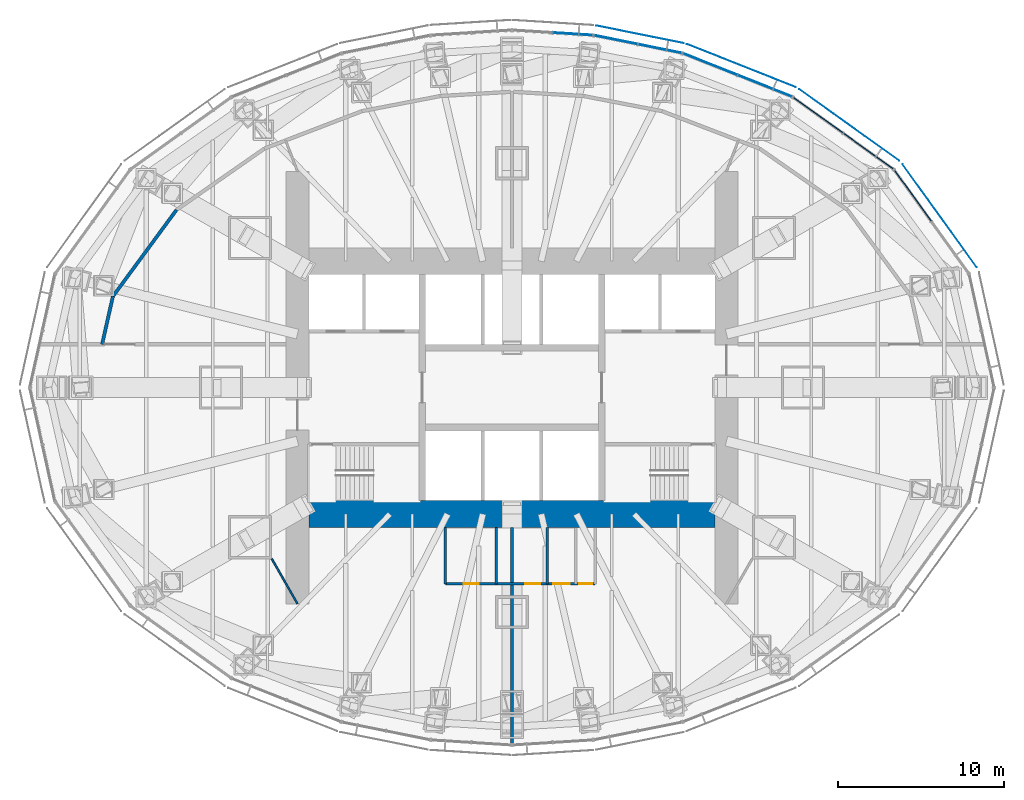
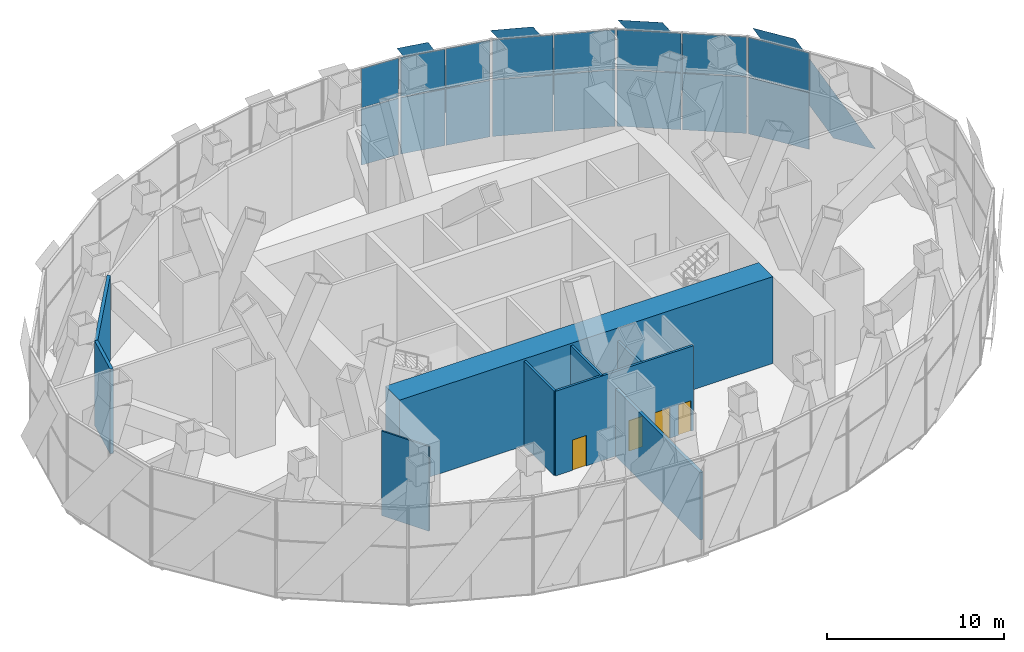
# One storey, part 13 of 19: 20 plates, 9 walls, 4 doors, 4 openings, 5 elements without a shape of their own.
"""IFC4 building model written with IfcOpenShell, lengths in metres."""

from ifc_helpers import new_model, si_unit, direction, frame, frame_2d, origin, origin_2d, place, context, subcontext, project, spatial, polyline, rectangle, outline, extrude, material, layer, layer_set, type_object, element, fill, aggregate, save


model = new_model("IFC4")

# Units and contexts
model_context = context("Model", 3, precision=1e-05, world=origin(), true_north=direction((0.0, 1.0)))
body_context = subcontext(model_context, "Body", "Model", "MODEL_VIEW")
ifc_project = project(units=[si_unit("LENGTHUNIT", "METRE"), si_unit("AREAUNIT", "SQUARE_METRE"), si_unit("VOLUMEUNIT", "CUBIC_METRE"), si_unit("PLANEANGLEUNIT", "RADIAN"), si_unit("MASSUNIT", "GRAM", prefix="KILO")], contexts=[model_context])

# Site, building, storey
site_placement = place(None, origin())
site = spatial("IfcSite", under=ifc_project, at=site_placement, CompositionType="ELEMENT")
building_placement = place(site_placement, origin())
building = spatial("IfcBuilding", under=site, at=building_placement, Name="Lantaw Convention Tower", CompositionType="ELEMENT")
storey_placement = place(building_placement, frame((0.0, 0.0, 193.0)))
storey = spatial("IfcBuildingStorey", under=building, at=storey_placement, Name="L45", CompositionType="ELEMENT", Elevation=193.0)

# Curtain wall, plates
ifc_material_1 = material(Name="Aluminium framed curtain wall", Category="aluminium")
curtain_wall_type = type_object("IfcCurtainWallType", Name="Plant floor louvre wall, pale aluminium", PredefinedType="USERDEFINED", material=ifc_material_1)
curtain_wall_1_placement = place(storey_placement, origin())
curtain_wall_1 = element("IfcCurtainWall", 1, at=curtain_wall_1_placement, inside=storey, type_object=curtain_wall_type, Name="Plant floor louvre wall, pale aluminium L45", ObjectType="LOUVRE WALL", PredefinedType="USERDEFINED")
ifc_material_2 = material(Name="Aluminium louvre blades", Category="aluminium")
ifc_layer_1 = layer(ifc_material_2, 0.050048828125)
ifc_layer_set_1 = layer_set([ifc_layer_1], Name="CW-LV panel 50")
plate_type_1 = type_object("IfcPlateType", Name="CW-LV panel 50", PredefinedType="CURTAIN_PANEL", material=ifc_layer_set_1)
plate_1_placement = place(storey_placement, frame((24.10888671875, 11.54296875, -0.929931640625), z_axis=(0.0, 0.0, 1.0), x_axis=(-0.584512597221, 0.811384633629, 0.0)))
plate_1 = element("IfcPlate", 2, at=plate_1_placement, type_object=plate_type_1, Name="CW-LV panel 2.1", PredefinedType="CURTAIN_PANEL", context=body_context, shape_type="SweptSolid", body=[
    extrude(rectangle(XDim=3.760009765625, YDim=0.050048828125, at=origin_2d()), origin(), (0.0, 0.0, 1.0), 3.89501953125),
])
plate_2_placement = place(storey_placement, frame((24.10888671875, 11.54296875, 3.03515625), z_axis=(0.0, 0.0, 1.0), x_axis=(-0.584512597221, 0.811384633629, 0.0)))
plate_2 = element("IfcPlate", 3, at=plate_2_placement, type_object=plate_type_1, Name="CW-LV panel 2.2", PredefinedType="CURTAIN_PANEL", context=body_context, shape_type="SweptSolid", body=[
    extrude(rectangle(XDim=3.760009765625, YDim=0.050048828125, at=origin_2d()), origin(), (0.0, 0.0, 1.0), 2.695068359375),
])
aggregate(curtain_wall_1, [plate_1, plate_2])

curtain_wall_2_placement = place(storey_placement, origin())
curtain_wall_2 = element("IfcCurtainWall", 4, at=curtain_wall_2_placement, inside=storey, type_object=curtain_wall_type, Name="Plant floor louvre wall, pale aluminium L45", ObjectType="LOUVRE WALL", PredefinedType="USERDEFINED")
plate_3_placement = place(storey_placement, frame((21.43310546875, 14.224365234375, -0.929931640625), z_axis=(0.0, 0.0, 1.0), x_axis=(-0.813208325995, 0.581972695693, 0.0)))
plate_3 = element("IfcPlate", 5, at=plate_3_placement, type_object=plate_type_1, Name="CW-LV panel 1.1", PredefinedType="CURTAIN_PANEL", context=body_context, shape_type="SweptSolid", body=[
    extrude(rectangle(XDim=3.6376953125, YDim=0.050048828125, at=origin_2d()), origin(), (0.0, 0.0, 1.0), 3.89501953125),
])
plate_4_placement = place(storey_placement, frame((21.43310546875, 14.224365234375, 3.03515625), z_axis=(0.0, 0.0, 1.0), x_axis=(-0.813208325995, 0.581972695693, 0.0)))
plate_4 = element("IfcPlate", 6, at=plate_4_placement, type_object=plate_type_1, Name="CW-LV panel 1.2", PredefinedType="CURTAIN_PANEL", context=body_context, shape_type="SweptSolid", body=[
    extrude(rectangle(XDim=3.6376953125, YDim=0.050048828125, at=origin_2d()), origin(), (0.0, 0.0, 1.0), 2.695068359375),
])
plate_5_placement = place(storey_placement, frame((18.417724609375, 16.38232421875, -0.929931640625), z_axis=(0.0, 0.0, 1.0), x_axis=(-0.813208325995, 0.581972695693, 0.0)))
plate_5 = element("IfcPlate", 7, at=plate_5_placement, type_object=plate_type_1, Name="CW-LV panel 2.1", PredefinedType="CURTAIN_PANEL", context=body_context, shape_type="SweptSolid", body=[
    extrude(rectangle(XDim=3.6376953125, YDim=0.050048828125, at=origin_2d()), origin(), (0.0, 0.0, 1.0), 3.89501953125),
])
plate_6_placement = place(storey_placement, frame((18.417724609375, 16.38232421875, 3.03515625), z_axis=(0.0, 0.0, 1.0), x_axis=(-0.813208325995, 0.581972695693, 0.0)))
plate_6 = element("IfcPlate", 8, at=plate_6_placement, type_object=plate_type_1, Name="CW-LV panel 2.2", PredefinedType="CURTAIN_PANEL", context=body_context, shape_type="SweptSolid", body=[
    extrude(rectangle(XDim=3.6376953125, YDim=0.050048828125, at=origin_2d()), origin(), (0.0, 0.0, 1.0), 2.695068359375),
])
aggregate(curtain_wall_2, [plate_3, plate_4, plate_5, plate_6])

curtain_wall_3_placement = place(storey_placement, origin())
curtain_wall_3 = element("IfcCurtainWall", 9, at=curtain_wall_3_placement, inside=storey, type_object=curtain_wall_type, Name="Plant floor louvre wall, pale aluminium L45", ObjectType="LOUVRE WALL", PredefinedType="USERDEFINED")
plate_7_placement = place(storey_placement, frame((15.20703125, 18.145751953125, -0.929931640625), z_axis=(0.0, 0.0, 1.0), x_axis=(-0.929547687544, 0.368701907483, 0.0)))
plate_7 = element("IfcPlate", 10, at=plate_7_placement, type_object=plate_type_1, Name="CW-LV panel 1.1", PredefinedType="CURTAIN_PANEL", context=body_context, shape_type="SweptSolid", body=[
    extrude(rectangle(XDim=3.46337890625, YDim=0.050048828125, at=origin_2d()), origin(), (0.0, 0.0, 1.0), 3.89501953125),
])
plate_8_placement = place(storey_placement, frame((15.20703125, 18.145751953125, 3.03515625), z_axis=(0.0, 0.0, 1.0), x_axis=(-0.929547687544, 0.368701907483, 0.0)))
plate_8 = element("IfcPlate", 11, at=plate_8_placement, type_object=plate_type_1, Name="CW-LV panel 1.2", PredefinedType="CURTAIN_PANEL", context=body_context, shape_type="SweptSolid", body=[
    extrude(rectangle(XDim=3.46337890625, YDim=0.050048828125, at=origin_2d()), origin(), (0.0, 0.0, 1.0), 2.695068359375),
])
plate_9_placement = place(storey_placement, frame((11.922607421875, 19.448486328125, -0.929931640625), z_axis=(0.0, 0.0, 1.0), x_axis=(-0.929547687544, 0.368701907483, 0.0)))
plate_9 = element("IfcPlate", 12, at=plate_9_placement, type_object=plate_type_1, Name="CW-LV panel 2.1", PredefinedType="CURTAIN_PANEL", context=body_context, shape_type="SweptSolid", body=[
    extrude(rectangle(XDim=3.46337890625, YDim=0.050048828125, at=origin_2d()), origin(), (0.0, 0.0, 1.0), 3.89501953125),
])
plate_10_placement = place(storey_placement, frame((11.922607421875, 19.448486328125, 3.03515625), z_axis=(0.0, 0.0, 1.0), x_axis=(-0.929547687544, 0.368701907483, 0.0)))
plate_10 = element("IfcPlate", 13, at=plate_10_placement, type_object=plate_type_1, Name="CW-LV panel 2.2", PredefinedType="CURTAIN_PANEL", context=body_context, shape_type="SweptSolid", body=[
    extrude(rectangle(XDim=3.46337890625, YDim=0.050048828125, at=origin_2d()), origin(), (0.0, 0.0, 1.0), 2.695068359375),
])
aggregate(curtain_wall_3, [plate_7, plate_8, plate_9, plate_10])

curtain_wall_4_placement = place(storey_placement, origin())
curtain_wall_4 = element("IfcCurtainWall", 14, at=curtain_wall_4_placement, inside=storey, type_object=curtain_wall_type, Name="Plant floor louvre wall, pale aluminium L45", ObjectType="LOUVRE WALL", PredefinedType="USERDEFINED")
plate_11_placement = place(storey_placement, frame((8.89208984375, 20.385986328125, -0.929931640625), z_axis=(0.0, 0.0, 1.0), x_axis=(-0.980301514912, 0.197506809659, 0.0)))
plate_11 = element("IfcPlate", 15, at=plate_11_placement, type_object=plate_type_1, Name="CW-LV panel 1.1", PredefinedType="CURTAIN_PANEL", context=body_context, shape_type="SweptSolid", body=[
    extrude(rectangle(XDim=2.62646484375, YDim=0.050048828125, at=origin_2d()), origin(), (0.0, 0.0, 1.0), 3.89501953125),
])
plate_12_placement = place(storey_placement, frame((8.89208984375, 20.385986328125, 3.03515625), z_axis=(0.0, 0.0, 1.0), x_axis=(-0.980301514912, 0.197506809659, 0.0)))
plate_12 = element("IfcPlate", 16, at=plate_12_placement, type_object=plate_type_1, Name="CW-LV panel 1.2", PredefinedType="CURTAIN_PANEL", context=body_context, shape_type="SweptSolid", body=[
    extrude(rectangle(XDim=2.62646484375, YDim=0.050048828125, at=origin_2d()), origin(), (0.0, 0.0, 1.0), 2.695068359375),
])
plate_13_placement = place(storey_placement, frame((6.24853515625, 20.918701171875, -0.929931640625), z_axis=(0.0, 0.0, 1.0), x_axis=(-0.980301514912, 0.197506809659, 0.0)))
plate_13 = element("IfcPlate", 17, at=plate_13_placement, type_object=plate_type_1, Name="CW-LV panel 2.1", PredefinedType="CURTAIN_PANEL", context=body_context, shape_type="SweptSolid", body=[
    extrude(rectangle(XDim=2.62646484375, YDim=0.050048828125, at=origin_2d()), origin(), (0.0, 0.0, 1.0), 3.89501953125),
])
plate_14_placement = place(storey_placement, frame((6.24853515625, 20.918701171875, 3.03515625), z_axis=(0.0, 0.0, 1.0), x_axis=(-0.980301514912, 0.197506809659, 0.0)))
plate_14 = element("IfcPlate", 18, at=plate_14_placement, type_object=plate_type_1, Name="CW-LV panel 2.2", PredefinedType="CURTAIN_PANEL", context=body_context, shape_type="SweptSolid", body=[
    extrude(rectangle(XDim=2.62646484375, YDim=0.050048828125, at=origin_2d()), origin(), (0.0, 0.0, 1.0), 2.695068359375),
])
aggregate(curtain_wall_4, [plate_11, plate_12, plate_13, plate_14])

curtain_wall_5_placement = place(storey_placement, origin())
curtain_wall_5 = element("IfcCurtainWall", 19, at=curtain_wall_5_placement, inside=storey, type_object=curtain_wall_type, Name="Plant floor louvre wall, pale aluminium L45", ObjectType="LOUVRE WALL", PredefinedType="USERDEFINED")
plate_15_placement = place(storey_placement, frame((3.65185546875, 21.27001953125, -0.929931640625), z_axis=(0.0, 0.0, 1.0), x_axis=(-0.998022035978, 0.062865059466, 0.0)))
plate_15 = element("IfcPlate", 20, at=plate_15_placement, type_object=plate_type_1, Name="CW-LV panel 1.1", PredefinedType="CURTAIN_PANEL", context=body_context, shape_type="SweptSolid", body=[
    extrude(rectangle(XDim=2.34619140625, YDim=0.050048828125, at=origin_2d()), origin(), (0.0, 0.0, 1.0), 3.89501953125),
])
plate_16_placement = place(storey_placement, frame((3.65185546875, 21.27001953125, 3.03515625), z_axis=(0.0, 0.0, 1.0), x_axis=(-0.998022035978, 0.062865059466, 0.0)))
plate_16 = element("IfcPlate", 21, at=plate_16_placement, type_object=plate_type_1, Name="CW-LV panel 1.2", PredefinedType="CURTAIN_PANEL", context=body_context, shape_type="SweptSolid", body=[
    extrude(rectangle(XDim=2.34619140625, YDim=0.050048828125, at=origin_2d()), origin(), (0.0, 0.0, 1.0), 2.695068359375),
])
aggregate(curtain_wall_5, [plate_15, plate_16])

# Plates
ifc_material_3 = material(Name="Perforated aluminium sheet, pale silver finish", Category="aluminium")
ifc_layer_2 = layer(ifc_material_3, 0.006103515625)
ifc_layer_set_2 = layer_set([ifc_layer_2], Name="Perforated aluminium solar SCREEN panel")
plate_type_2 = type_object("IfcPlateType", Name="Perforated aluminium solar SCREEN panel", PredefinedType="SHEET", material=ifc_layer_set_2)
plate_17_placement = place(storey_placement, frame((27.94970703125, 7.248046875, -0.199951171875), z_axis=(0.811395121853, 0.584498037289, 2.5263716e-05), x_axis=(-0.584498037475, 0.811395122112, -6.86e-10)))
element("IfcPlate", 22, at=plate_17_placement, inside=storey, type_object=plate_type_2, Name="Solar SCREEN panel", PredefinedType="SHEET", context=body_context, shape_type="SweptSolid", body=[
    extrude(outline(polyline([(0.0, 0.0), (2.628222178575422, -6.776263578034403e-21), (7.629778257969264, 6.165039069700306), (5.001754173906076, 6.165039066095317), (0.0, 0.0)])), origin(), (0.0, 0.0, -1.0), 0.006103515625),
])
plate_18_placement = place(storey_placement, frame((23.281005859375, 13.64697265625, -0.199951171875), z_axis=(0.582000183956, 0.813188653271, 8.121964e-06), x_axis=(-0.813188653298, 0.582000183975, 0.0)))
element("IfcPlate", 23, at=plate_18_placement, inside=storey, type_object=plate_type_2, Name="Solar SCREEN panel", PredefinedType="SHEET", context=body_context, shape_type="SweptSolid", body=[
    extrude(outline(polyline([(0.0, 0.0), (2.5450183911586484, 1.6940658945086007e-21), (7.385531276904658, 6.165039062703343), (4.840512885746009, 6.165039062703343), (0.0, 0.0)])), origin(), (0.0, 0.0, -1.0), 0.006103515625),
])
plate_19_placement = place(storey_placement, frame((17.05859375, 18.063232421875, -0.199951171875), z_axis=(-0.368708915378, -0.929544907824, 7.650228e-06), x_axis=(-0.929544907851, 0.368708915389, 5e-10)))
element("IfcPlate", 24, at=plate_19_placement, inside=storey, type_object=plate_type_2, Name="Solar SCREEN panel", PredefinedType="SHEET", context=body_context, shape_type="SweptSolid", body=[
    extrude(outline(polyline([(0.0, 0.0), (2.4263803793049097, -8.470329472543003e-22), (7.0365496295669825, -6.165039059164441), (4.61003232741235, -6.165039061589298), (0.0, 0.0)])), origin(), (0.0, 0.0, -1.0), 0.006103515625),
])
plate_20_placement = place(storey_placement, frame((10.318603515625, 20.716796875, -0.199951171875), z_axis=(0.197556725519, 0.980291456369, 2.7795745e-05), x_axis=(-0.980291456747, 0.197556725596, 0.0)))
element("IfcPlate", 25, at=plate_20_placement, inside=storey, type_object=plate_type_2, Name="Solar SCREEN panel", PredefinedType="SHEET", context=body_context, shape_type="SweptSolid", body=[
    extrude(outline(polyline([(0.0, 0.0), (1.8574075788555457, 1.6940658945086007e-21), (5.362987026845185, 6.165039064881565), (3.505579447989639, 6.165039064881565), (0.0, 0.0)])), origin(), (0.0, 0.0, -1.0), 0.006103515625),
])

# Walls
ifc_material_4 = material(Name="Concrete C60/75", Category="concrete")
ifc_layer_3 = layer(ifc_material_4, 1.60009765625)
ifc_layer_set_3 = layer_set([ifc_layer_3], Name="Core wall 1600")
wall_type_1 = type_object("IfcWallType", Name="Core wall 1600", PredefinedType="SHEAR", material=ifc_layer_set_3)
wall_1_placement = place(storey_placement, frame((-12.199951171875, -7.60009765625, 0.0), z_axis=(0.0, 0.0, 1.0), x_axis=(1.0, 0.0, 0.0)))
element("IfcWall", 26, at=wall_1_placement, inside=storey, type_object=wall_type_1, Name="Core wall S", PredefinedType="SHEAR", context=body_context, shape_type="SweptSolid", body=[
    extrude(rectangle(XDim=24.39990234375, YDim=1.60009765625, at=frame_2d((12.199951171875, 0.0))), origin(), (0.0, 0.0, 1.0), 6.0),
])
ifc_material_5 = material(Name="Concrete blockwork, fire rated", Category="masonry")
ifc_layer_4 = layer(ifc_material_5, 0.199951171875)
ifc_layer_set_4 = layer_set([ifc_layer_4], Name="Fire wall 200 EI 120")
wall_type_2 = type_object("IfcWallType", Name="Fire wall 200 EI 120", PredefinedType="SOLIDWALL", material=ifc_layer_set_4)
wall_2_placement = place(storey_placement, frame((0.0, -8.39990234375, 0.0), z_axis=(0.0, 0.0, 1.0), x_axis=(0.0, -1.0, 0.0)))
element("IfcWall", 27, at=wall_2_placement, inside=storey, type_object=wall_type_2, Name="Fire wall 200", PredefinedType="SOLIDWALL", context=body_context, shape_type="SweptSolid", body=[
    extrude(rectangle(XDim=13.044921875, YDim=0.199951171875, at=frame_2d((6.5224609375, 0.0))), origin(), (0.0, 0.0, 1.0), 4.64990234375),
])
ifc_material_6 = material(Name="Gypsum board on steel studs, acoustic", Category="steel")
ifc_layer_5 = layer(ifc_material_6, 0.10009765625)
ifc_layer_set_5 = layer_set([ifc_layer_5], Name="Office partition 100")
wall_type_3 = type_object("IfcWallType", Name="Office partition 100", PredefinedType="PARTITIONING", material=ifc_layer_set_5)
wall_3_placement = place(storey_placement, frame((-12.89990234375, -13.0, 0.0), z_axis=(0.0, 0.0, 1.0), x_axis=(-0.497886086714, 0.867242437071, 0.0)))
element("IfcWall", 28, at=wall_3_placement, inside=storey, type_object=wall_type_3, Name="Office partition 100", PredefinedType="PARTITIONING", context=body_context, shape_type="SweptSolid", body=[
    extrude(rectangle(XDim=3.11328125, YDim=0.10009765625, at=frame_2d((1.556640625, 0.0))), origin(), (0.0, 0.0, 1.0), 5.85009765625),
])
ifc_layer_6 = layer(ifc_material_5, 0.199951171875)
ifc_layer_set_6 = layer_set([ifc_layer_6], Name="Plant room wall 200 EI 120")
wall_type_4 = type_object("IfcWallType", Name="Plant room wall 200 EI 120", PredefinedType="SOLIDWALL", material=ifc_layer_set_6)
wall_4_placement = place(storey_placement, frame((-24.649658203125, 2.60009765625, 0.0), z_axis=(0.0, 0.0, 1.0), x_axis=(0.219211589051, 0.975677343811, 0.0)))
element("IfcWall", 29, at=wall_4_placement, inside=storey, type_object=wall_type_4, Name="Plant room wall 200", PredefinedType="SOLIDWALL", context=body_context, shape_type="SweptSolid", body=[
    extrude(rectangle(XDim=2.95703125, YDim=0.199951171875, at=frame_2d((1.478515625, 0.0))), origin(), (0.0, 0.0, 1.0), 5.85009765625),
])
wall_5_placement = place(storey_placement, frame((-24.00146484375, 5.485107421875, 0.0), z_axis=(0.0, 0.0, 1.0), x_axis=(0.592429396569, 0.805622374367, 0.0)))
element("IfcWall", 30, at=wall_5_placement, inside=storey, type_object=wall_type_4, Name="Plant room wall 200", PredefinedType="SOLIDWALL", context=body_context, shape_type="SweptSolid", body=[
    extrude(rectangle(XDim=6.462158203125, YDim=0.199951171875, at=frame_2d((3.23095703125, 0.0))), origin(), (0.0, 0.0, 1.0), 5.85009765625),
])

# Wall, openings, doors
ifc_material_7 = material(Name="Concrete blockwork", Category="masonry")
ifc_layer_7 = layer(ifc_material_7, 0.14990234375)
ifc_layer_set_7 = layer_set([ifc_layer_7], Name="WC wall 150")
wall_type_5 = type_object("IfcWallType", Name="WC wall 150", PredefinedType="SOLIDWALL", material=ifc_layer_set_7)
wall_6_placement = place(storey_placement, frame((-4.0, -11.800048828125, 0.0), z_axis=(0.0, 0.0, 1.0), x_axis=(1.0, 0.0, 0.0)))
wall_6 = element("IfcWall", 31, at=wall_6_placement, inside=storey, type_object=wall_type_5, Name="WC wall 150", PredefinedType="SOLIDWALL", context=body_context, shape_type="SweptSolid", body=[
    extrude(rectangle(XDim=9.0, YDim=0.14990234375, at=frame_2d((4.5, 0.0))), origin(), (0.0, 0.0, 1.0), 5.85009765625),
])
opening_1_placement = place(wall_6_placement, frame((1.10009765625, 0.0, 0.0)))
opening_1 = element("IfcOpeningElement", 32, at=opening_1_placement, cuts=wall_6, Name="Opening L45.11", PredefinedType="OPENING", context=body_context, shape_type="SweptSolid", body=[
    extrude(rectangle(XDim=0.89990234375, YDim=2.10009765625, at=frame_2d((0.449951171875, 1.050048828125))), frame((0.0, 0.0849609375, 0.0), z_axis=(0.0, -1.0, 0.0), x_axis=(1.0, 0.0, 0.0)), (0.0, 0.0, 1.0), 0.169921875),
])
opening_2_placement = place(wall_6_placement, frame((4.81005859375, 0.0, 0.0)))
opening_2 = element("IfcOpeningElement", 33, at=opening_2_placement, cuts=wall_6, Name="Opening L45.12", PredefinedType="OPENING", context=body_context, shape_type="SweptSolid", body=[
    extrude(rectangle(XDim=0.89990234375, YDim=2.10009765625, at=frame_2d((0.449951171875, 1.050048828125))), frame((0.0, 0.0849609375, 0.0), z_axis=(0.0, -1.0, 0.0), x_axis=(1.0, 0.0, 0.0)), (0.0, 0.0, 1.0), 0.169921875),
])
opening_3_placement = place(wall_6_placement, frame((6.469970703125, 0.0, 0.0)))
opening_3 = element("IfcOpeningElement", 34, at=opening_3_placement, cuts=wall_6, Name="Opening L45.13", PredefinedType="OPENING", context=body_context, shape_type="SweptSolid", body=[
    extrude(rectangle(XDim=1.0, YDim=2.10009765625, at=frame_2d((0.5, 1.050048828125))), frame((0.0, 0.0849609375, 0.0), z_axis=(0.0, -1.0, 0.0), x_axis=(1.0, 0.0, 0.0)), (0.0, 0.0, 1.0), 0.169921875),
])
opening_4_placement = place(wall_6_placement, frame((8.030029296875, 0.0, 0.0)))
opening_4 = element("IfcOpeningElement", 35, at=opening_4_placement, cuts=wall_6, Name="Opening L45.14", PredefinedType="OPENING", context=body_context, shape_type="SweptSolid", body=[
    extrude(rectangle(XDim=0.800048828125, YDim=2.10009765625, at=frame_2d((0.39990234375, 1.050048828125))), frame((0.0, 0.0849609375, 0.0), z_axis=(0.0, -1.0, 0.0), x_axis=(1.0, 0.0, 0.0)), (0.0, 0.0, 1.0), 0.169921875),
])
ifc_material_8 = material(Name="Timber", Category="wood")
door_type_1 = type_object("IfcDoorType", Name="Accessible WC door 1000", OperationType="SINGLE_SWING_LEFT", PredefinedType="DOOR", material=ifc_material_8)
door_1_placement = place(opening_3_placement, origin())
door_1 = element("IfcDoor", 36, at=door_1_placement, inside=storey, type_object=door_type_1, Name="Accessible WC door", OperationType="SINGLE_SWING_LEFT", OverallHeight=2.10009765625, OverallWidth=1.0, PredefinedType="DOOR", context=body_context, shape_type="SweptSolid", body=[
    extrude(rectangle(XDim=1.0, YDim=2.10009765625, at=frame_2d((0.5, 1.050048828125))), frame((0.0, 0.02490234375, 0.0), z_axis=(0.0, -1.0, 0.0), x_axis=(1.0, 0.0, 0.0)), (0.0, 0.0, 1.0), 0.050048828125),
])
fill(opening_3, door_1)
door_type_2 = type_object("IfcDoorType", Name="WC door 800", OperationType="SINGLE_SWING_LEFT", PredefinedType="DOOR", material=ifc_material_8)
door_2_placement = place(opening_4_placement, origin())
door_2 = element("IfcDoor", 37, at=door_2_placement, inside=storey, type_object=door_type_2, Name="Cleaner's store door", OperationType="SINGLE_SWING_LEFT", OverallHeight=2.10009765625, OverallWidth=0.800048828125, PredefinedType="DOOR", context=body_context, shape_type="SweptSolid", body=[
    extrude(rectangle(XDim=0.800048828125, YDim=2.10009765625, at=frame_2d((0.39990234375, 1.050048828125))), frame((0.0, 0.02490234375, 0.0), z_axis=(0.0, -1.0, 0.0), x_axis=(1.0, 0.0, 0.0)), (0.0, 0.0, 1.0), 0.050048828125),
])
fill(opening_4, door_2)
door_type_3 = type_object("IfcDoorType", Name="WC door 900", OperationType="SINGLE_SWING_LEFT", PredefinedType="DOOR", material=ifc_material_8)
door_3_placement = place(opening_1_placement, origin())
door_3 = element("IfcDoor", 38, at=door_3_placement, inside=storey, type_object=door_type_3, Name="Male WC door", OperationType="SINGLE_SWING_LEFT", OverallHeight=2.10009765625, OverallWidth=0.89990234375, PredefinedType="DOOR", context=body_context, shape_type="SweptSolid", body=[
    extrude(rectangle(XDim=0.89990234375, YDim=2.10009765625, at=frame_2d((0.449951171875, 1.050048828125))), frame((0.0, 0.02490234375, 0.0), z_axis=(0.0, -1.0, 0.0), x_axis=(1.0, 0.0, 0.0)), (0.0, 0.0, 1.0), 0.050048828125),
])
fill(opening_1, door_3)
door_4_placement = place(opening_2_placement, origin())
door_4 = element("IfcDoor", 39, at=door_4_placement, inside=storey, type_object=door_type_3, Name="Female WC door", OperationType="SINGLE_SWING_LEFT", OverallHeight=2.10009765625, OverallWidth=0.89990234375, PredefinedType="DOOR", context=body_context, shape_type="SweptSolid", body=[
    extrude(rectangle(XDim=0.89990234375, YDim=2.10009765625, at=frame_2d((0.449951171875, 1.050048828125))), frame((0.0, 0.02490234375, 0.0), z_axis=(0.0, -1.0, 0.0), x_axis=(1.0, 0.0, 0.0)), (0.0, 0.0, 1.0), 0.050048828125),
])
fill(opening_2, door_4)

# Walls
for number, where, z_axis, x_axis, name in (
    (40, (-4.0, -8.39990234375, 0.0), (0.0, 0.0, 1.0), (0.0, -1.0, 0.0), "WC wall 150"),
    (41, (-0.93994140625, -8.39990234375, 0.0), (0.0, 0.0, 1.0), (0.0, -1.0, 0.0), "WC wall 150"),
):
    element("IfcWall", number, at=place(storey_placement, frame(where, z_axis=z_axis, x_axis=x_axis)), inside=storey, type_object=wall_type_5, Name=name, PredefinedType="SOLIDWALL", context=body_context, shape_type="SweptSolid", body=[
        extrude(rectangle(XDim=3.400146484375, YDim=0.14990234375, at=frame_2d((1.7001953125, 0.0))), origin(), (0.0, 0.0, 1.0), 5.85009765625),
    ])
wall_7_placement = place(storey_placement, frame((2.1201171875, -8.39990234375, 0.0), z_axis=(0.0, 0.0, 1.0), x_axis=(0.0, -1.0, 0.0)))
element("IfcWall", 42, at=wall_7_placement, inside=storey, type_object=wall_type_5, Name="WC wall 150", PredefinedType="SOLIDWALL", context=body_context, shape_type="SweptSolid", body=[
    extrude(rectangle(XDim=3.400146484375, YDim=0.14990234375, at=frame_2d((1.7001953125, 0.0))), origin(), (0.0, 0.0, 1.0), 5.093017578125),
])

save(model, "model.ifc")
